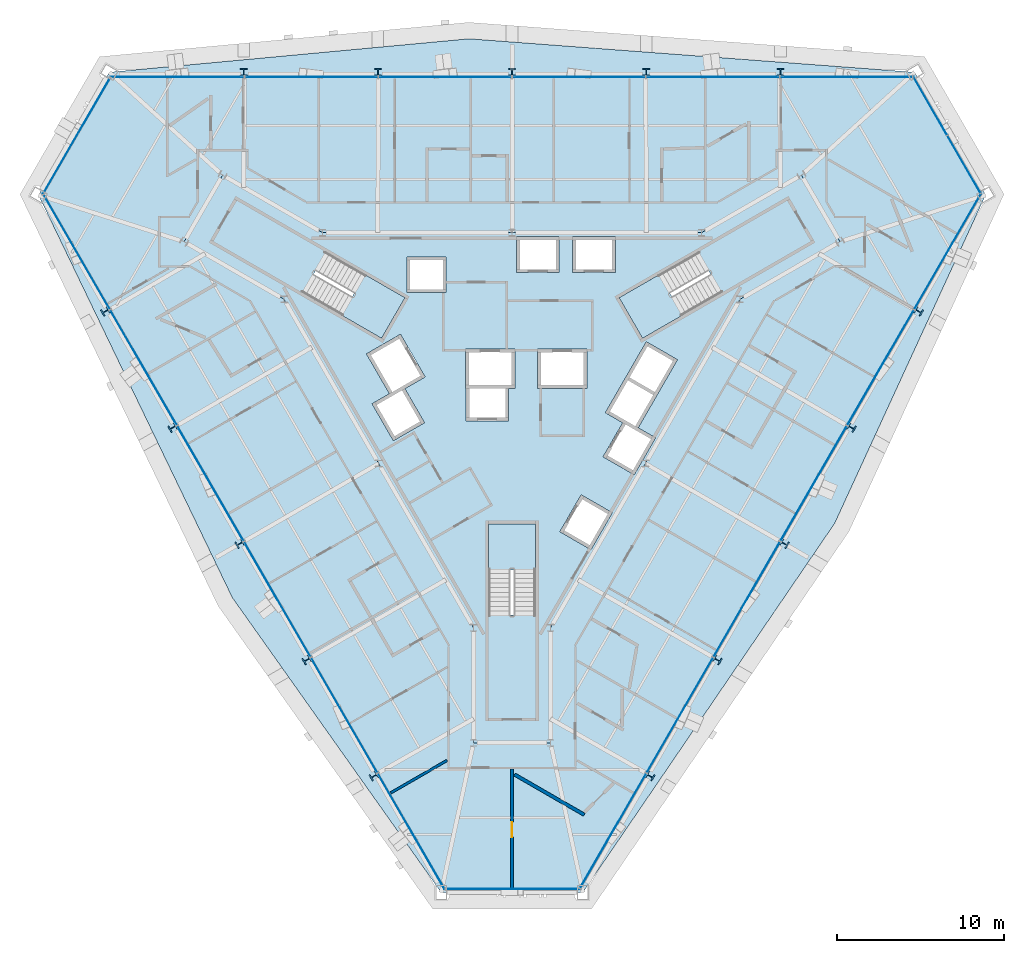
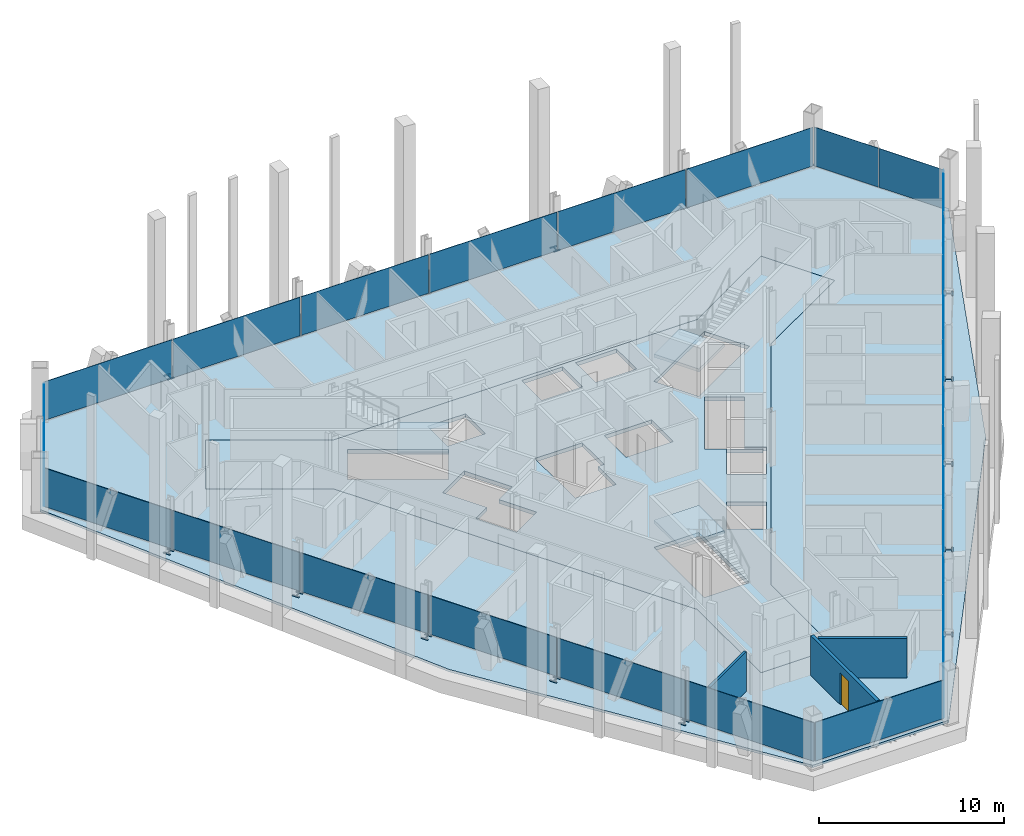
# One storey, part 9 of 16: 22 plates, 15 members, 5 slabs, 3 walls, 1 door, 1 opening, 9 elements without a shape of their own.
"""IFC4 building model written with IfcOpenShell, lengths in metres."""

import ifcopenshell
import ifcopenshell.guid

model = None  # the IFC model being written
_history = None  # IfcOwnerHistory: only IFC2X3 demands one
_inside = {}  # id of a spatial element -> (the spatial element, [elements in it])
_under = {}  # id of a project, library or spatial element -> (it, [spatial elements below it])
_declared = {}  # id of a project -> (the project, [libraries it declares])
_typed = {}  # id of a type object -> (the type object, [elements of that type])
_made_of = {}  # id of a material, layer set ... -> (it, [elements and type objects made of it])


def new_model(schema):
    """Start an empty IFC model of exactly this schema.

    Asked for "IFC4X3", IfcOpenShell would pick the latest addendum, in which some entities
    have other attributes; the version numbers below select the first issue.
    IFC2X3 requires an IfcOwnerHistory on every rooted entity: one is made here for all.
    """
    global model, _history
    if schema == "IFC4X3":
        model = ifcopenshell.file(schema_version=(4, 3, 0, 0))
    else:
        model = ifcopenshell.file(schema=schema)
    _inside.clear()
    _under.clear()
    _declared.clear()
    _typed.clear()
    _made_of.clear()
    _history = None
    if model.schema == "IFC2X3":
        org = make("IfcOrganization", Name="unknown")
        user = make(
            "IfcPersonAndOrganization",
            ThePerson=make("IfcPerson", FamilyName="unknown"),
            TheOrganization=org,
        )
        app = make(
            "IfcApplication",
            ApplicationDeveloper=org,
            Version="unknown",
            ApplicationFullName="unknown",
            ApplicationIdentifier="unknown",
        )
        _history = make(
            "IfcOwnerHistory",
            OwningUser=user,
            OwningApplication=app,
            ChangeAction="ADDED",
            CreationDate=0,
        )
    return model


def make(cls, **values):
    """One entity of the class cls with the attributes given. An attribute that is None is left unset."""
    return model.create_entity(
        cls, **{name: value for name, value in values.items() if value is not None}
    )


def rooted(cls, **values):
    """An entity with a GlobalId (a new one), such as an element, a storey or a relation."""
    return make(cls, GlobalId=ifcopenshell.guid.new(), OwnerHistory=_history, **values)


def si_unit(unit_type, name, prefix=None):
    """IfcSIUnit, for example si_unit("LENGTHUNIT", "METRE", prefix="MILLI")."""
    return make("IfcSIUnit", UnitType=unit_type, Prefix=prefix, Name=name)


def assignment(units):
    """IfcUnitAssignment: the units of a project."""
    return None if units is None else make("IfcUnitAssignment", Units=units)


def point(xyz):
    """IfcCartesianPoint."""
    return None if xyz is None else make("IfcCartesianPoint", Coordinates=xyz)


def direction(xyz):
    """IfcDirection."""
    return None if xyz is None else make("IfcDirection", DirectionRatios=xyz)


def frame(location, z_axis=None, x_axis=None):
    """IfcAxis2Placement3D, a coordinate frame: its origin and axes. An axis left out is left unset."""
    return make(
        "IfcAxis2Placement3D",
        Location=point(location),
        Axis=direction(z_axis),
        RefDirection=direction(x_axis),
    )


def frame_2d(location, x_axis=None):
    """IfcAxis2Placement2D, a coordinate frame in the plane: its origin and x axis."""
    return make(
        "IfcAxis2Placement2D", Location=point(location), RefDirection=direction(x_axis)
    )


def origin():
    """The frame at (0, 0, 0) with its axes left unset."""
    return frame((0.0, 0.0, 0.0))


def origin_2d():
    """The frame at (0, 0) in the plane with its x axis left unset."""
    return frame_2d((0.0, 0.0))


def place(relative_to, where):
    """IfcLocalPlacement: puts the frame where relative to a parent placement (None: the world)."""
    return make(
        "IfcLocalPlacement", PlacementRelTo=relative_to, RelativePlacement=where
    )


def context(
    kind, dimensions, precision=None, world=None, true_north=None, identifier=None
):
    """IfcGeometricRepresentationContext, for example the 3D "Model" context."""
    return make(
        "IfcGeometricRepresentationContext",
        ContextIdentifier=identifier,
        ContextType=kind,
        CoordinateSpaceDimension=dimensions,
        Precision=precision,
        WorldCoordinateSystem=world,
        TrueNorth=true_north,
    )


def subcontext(parent, identifier, kind, view, scale=None):
    """IfcGeometricRepresentationSubContext, for example "Body" below "Model"."""
    return make(
        "IfcGeometricRepresentationSubContext",
        ContextIdentifier=identifier,
        ContextType=kind,
        ParentContext=parent,
        TargetScale=scale,
        TargetView=view,
    )


def project(units=None, contexts=None):
    """IfcProject with its units and contexts."""
    return rooted(
        "IfcProject",
        Name="project",
        RepresentationContexts=contexts,
        UnitsInContext=assignment(units),
    )


def spatial(cls, under=None, at=None, **own):
    """A site, building, storey or space (cls), placed at a placement, below another one or the project."""
    s = rooted(cls, ObjectPlacement=at, **own)
    if under is not None:
        _under.setdefault(under.id(), (under, []))[1].append(s)
    return s


def polyline(points):
    """IfcPolyline through the points."""
    return make("IfcPolyline", Points=[point(p) for p in points])


def profile(cls, at=None, kind="AREA", **sizes):
    """A parametric profile (cls). Its sizes go by their IFC names, for example OverallWidth=200.0."""
    return make(cls, ProfileType=kind, Position=at, **sizes)


def rectangle(**sizes):
    """IfcRectangleProfileDef."""
    return profile("IfcRectangleProfileDef", **sizes)


def i_section(**sizes):
    """IfcIShapeProfileDef."""
    return profile("IfcIShapeProfileDef", **sizes)


def outline(outer, holes=None, kind="AREA"):
    """IfcArbitraryClosedProfileDef: a profile drawn as a closed curve; with holes, ...WithVoids."""
    if holes is None:
        return make("IfcArbitraryClosedProfileDef", ProfileType=kind, OuterCurve=outer)
    return make(
        "IfcArbitraryProfileDefWithVoids",
        ProfileType=kind,
        OuterCurve=outer,
        InnerCurves=holes,
    )


def extrude(swept, where, along, depth):
    """IfcExtrudedAreaSolid: the profile swept, set in the frame where, extruded along a direction by depth."""
    return make(
        "IfcExtrudedAreaSolid",
        SweptArea=swept,
        Position=where,
        ExtrudedDirection=direction(along),
        Depth=depth,
    )


def shape(context_of_items, identifier, shape_type, items):
    """IfcShapeRepresentation: the items that make up one representation, for example the "Body"."""
    return make(
        "IfcShapeRepresentation",
        ContextOfItems=context_of_items,
        RepresentationIdentifier=identifier,
        RepresentationType=shape_type,
        Items=items,
    )


def material(Name=None, Category=None):
    """IfcMaterial."""
    return make("IfcMaterial", Name=Name, Category=Category)


def layer(
    of_material, thickness, ventilated=None, Name=None, Category=None, Priority=None
):
    """IfcMaterialLayer: one layer of a wall or slab, of a material (None: an air gap)."""
    return make(
        "IfcMaterialLayer",
        Material=of_material,
        LayerThickness=thickness,
        IsVentilated=ventilated,
        Name=Name,
        Category=Category,
        Priority=Priority,
    )


def layer_set(layers, Name=None):
    """IfcMaterialLayerSet."""
    return make("IfcMaterialLayerSet", MaterialLayers=layers, LayerSetName=Name)


def material_profile(
    of_material, cross_section, Name=None, Category=None, Priority=None
):
    """IfcMaterialProfile: a cross section and its material."""
    return make(
        "IfcMaterialProfile",
        Name=Name,
        Material=of_material,
        Profile=cross_section,
        Priority=Priority,
        Category=Category,
    )


def profile_set(profiles, Name=None, composite=None):
    """IfcMaterialProfileSet."""
    return make(
        "IfcMaterialProfileSet",
        Name=Name,
        MaterialProfiles=profiles,
        CompositeProfile=composite,
    )


def made_of(thing, what):
    """Note that an element or type object is made of a material, layer set ...; save() writes the relation."""
    if what is not None:
        _made_of.setdefault(what.id(), (what, []))[1].append(thing)
    return thing


def type_object(cls, material=None, **own):
    """A type object (cls), such as IfcWallType, which elements share."""
    return made_of(rooted(cls, **own), material)


def element(
    cls,
    number,
    at=None,
    inside=None,
    cuts=None,
    type_object=None,
    material=None,
    context=None,
    identifier="Body",
    shape_type=None,
    held_by="IfcProductDefinitionShape",
    body=None,
    shapes=None,
    **own,
):
    """One element of the class cls, such as IfcWall. Its Tag is "e" and its number.

    at: its placement. inside: the storey or other place that contains it. cuts: it is an
    opening in that element (IfcRelVoidsElement). A single representation is given by context,
    identifier, shape_type and body (its items); several are given by shapes. held_by: the class
    of the entity that holds the representations. save() writes the other relations.
    """
    e = rooted(cls, Tag="e%d" % number, ObjectPlacement=at, **own)
    if body is not None:
        shapes = [shape(context, identifier, shape_type, body)]
    if shapes is not None:
        e.Representation = make(held_by, Representations=shapes)
    if inside is not None:
        _inside.setdefault(inside.id(), (inside, []))[1].append(e)
    if cuts is not None:
        rooted(
            "IfcRelVoidsElement", RelatingBuildingElement=cuts, RelatedOpeningElement=e
        )
    if type_object is not None:
        _typed.setdefault(type_object.id(), (type_object, []))[1].append(e)
    return made_of(e, material)


def fill(opening, filler):
    """IfcRelFillsElement: the door or window that sits in an opening."""
    return rooted(
        "IfcRelFillsElement",
        RelatingOpeningElement=opening,
        RelatedBuildingElement=filler,
    )


def aggregate(whole, parts):
    """IfcRelAggregates: a whole, such as a stair, and the parts it consists of."""
    return rooted("IfcRelAggregates", RelatingObject=whole, RelatedObjects=parts)


def save(model, path):
    """Write the relations noted so far, then the file.

    IfcRelAggregates (storeys below a building ...), IfcRelContainedInSpatialStructure (elements
    in a storey), IfcRelDefinesByType, IfcRelAssociatesMaterial and IfcRelDeclares: one each for
    every whole, place, type object, material and project.
    """
    for whole, parts in _under.values():
        aggregate(whole, parts)
    for where, things in _inside.values():
        rooted(
            "IfcRelContainedInSpatialStructure",
            RelatedElements=things,
            RelatingStructure=where,
        )
    for kind, things in _typed.values():
        rooted("IfcRelDefinesByType", RelatedObjects=things, RelatingType=kind)
    for what, things in _made_of.values():
        rooted("IfcRelAssociatesMaterial", RelatedObjects=things, RelatingMaterial=what)
    for by, libraries in _declared.values():
        rooted("IfcRelDeclares", RelatingContext=by, RelatedDefinitions=libraries)
    model.write(path)


model = new_model("IFC4")

# Units and contexts
model_context = context("Model", 3, precision=1e-05, world=origin(), true_north=direction((0.0, 1.0)))
body_context = subcontext(model_context, "Body", "Model", "MODEL_VIEW")
ifc_project = project(units=[si_unit("LENGTHUNIT", "METRE"), si_unit("AREAUNIT", "SQUARE_METRE"), si_unit("VOLUMEUNIT", "CUBIC_METRE"), si_unit("PLANEANGLEUNIT", "RADIAN"), si_unit("MASSUNIT", "GRAM", prefix="KILO")], contexts=[model_context])

# Site, building, storey
site_placement = place(None, origin())
site = spatial("IfcSite", under=ifc_project, at=site_placement, CompositionType="ELEMENT")
building_placement = place(site_placement, origin())
building = spatial("IfcBuilding", under=site, at=building_placement, Name="Verrane Prism Tower", CompositionType="ELEMENT")
storey_placement = place(building_placement, frame((0.0, 0.0, 103.60009765625)))
storey = spatial("IfcBuildingStorey", under=building, at=storey_placement, Name="L24", CompositionType="ELEMENT", Elevation=103.60009765625)

# Members
ifc_material_1 = material(Name="Steel A992", Category="steel")
ifc_material_profile = material_profile(ifc_material_1, i_section(OverallWidth=0.424072265625, OverallDepth=0.47509765625, WebThickness=0.0478515625, FlangeThickness=0.0771484375, FilletRadius=0.014892578125, at=origin_2d()), Name="W14x426")
ifc_profile_set = profile_set([ifc_material_profile], Name="Steel A992")
member_type = type_object("IfcMemberType", Name="Kink node W14x426", PredefinedType="COLLAR", material=ifc_profile_set)
member_1_placement = place(storey_placement, frame((16.038330078125, 18.78564453125, -0.045166015625), z_axis=(0.0, 0.0, 1.0), x_axis=(1.0, 0.0, 0.0)))
element("IfcMember", 1, at=member_1_placement, inside=storey, type_object=member_type, Name="Kink node PC4 L24", PredefinedType="COLLAR", context=body_context, shape_type="SweptSolid", body=[
    extrude(i_section(OverallWidth=0.424072265625, OverallDepth=0.47509765625, WebThickness=0.0478515625, FlangeThickness=0.0771484375, FilletRadius=0.014892578125, at=origin_2d()), origin(), (0.0, 0.0, 1.0), 0.090087890625),
])
member_2_placement = place(storey_placement, frame((8.019287109375, 18.7861328125, -0.0400390625), z_axis=(0.0, 0.0, 1.0), x_axis=(1.0, 0.0, 0.0)))
element("IfcMember", 2, at=member_2_placement, inside=storey, type_object=member_type, Name="Kink node PC4 L24", PredefinedType="COLLAR", context=body_context, shape_type="SweptSolid", body=[
    extrude(i_section(OverallWidth=0.424072265625, OverallDepth=0.47509765625, WebThickness=0.0478515625, FlangeThickness=0.0771484375, FilletRadius=0.014892578125, at=origin_2d()), origin(), (0.0, 0.0, 1.0), 0.079833984375),
])
member_3_placement = place(storey_placement, frame((0.0, 18.78662109375, -0.03515625), z_axis=(0.0, 0.0, 1.0), x_axis=(1.0, 0.0, 0.0)))
element("IfcMember", 3, at=member_3_placement, inside=storey, type_object=member_type, Name="Kink node PC4 L24", PredefinedType="COLLAR", context=body_context, shape_type="SweptSolid", body=[
    extrude(i_section(OverallWidth=0.424072265625, OverallDepth=0.47509765625, WebThickness=0.0478515625, FlangeThickness=0.0771484375, FilletRadius=0.014892578125, at=origin_2d()), origin(), (0.0, 0.0, 1.0), 0.070068359375),
])
member_4_placement = place(storey_placement, frame((-8.019287109375, 18.7861328125, -0.0400390625), z_axis=(0.0, 0.0, 1.0), x_axis=(1.0, 0.0, 0.0)))
element("IfcMember", 4, at=member_4_placement, inside=storey, type_object=member_type, Name="Kink node PC4 L24", PredefinedType="COLLAR", context=body_context, shape_type="SweptSolid", body=[
    extrude(i_section(OverallWidth=0.424072265625, OverallDepth=0.47509765625, WebThickness=0.0478515625, FlangeThickness=0.0771484375, FilletRadius=0.014892578125, at=origin_2d()), origin(), (0.0, 0.0, 1.0), 0.079833984375),
])
for number, where, z_axis, x_axis, name in (
    (5, (-16.038330078125, 18.78564453125, -0.045166015625), (0.0, 0.0, 1.0), (1.0, 0.0, 0.0), "Kink node PC4 L24"),
    (6, (8.2470703125, -23.286376953125, -0.045166015625), (0.0, 0.0, 1.0), (-0.5, -0.866025403784, 0.0), "Kink node PC4 L24"),
):
    element("IfcMember", number, at=place(storey_placement, frame(where, z_axis=z_axis, x_axis=x_axis)), inside=storey, type_object=member_type, Name=name, PredefinedType="COLLAR", context=body_context, shape_type="SweptSolid", body=[
        extrude(i_section(OverallWidth=0.424072265625, OverallDepth=0.47509765625, WebThickness=0.0478515625, FlangeThickness=0.0771484375, FilletRadius=0.014892578125, at=origin_2d()), origin(), (0.0, 0.0, 1.0), 0.090087890625),
    ])
member_5_placement = place(storey_placement, frame((12.257080078125, -16.33740234375, -0.0400390625), z_axis=(0.0, 0.0, 1.0), x_axis=(-0.5, -0.866025403784, 0.0)))
element("IfcMember", 7, at=member_5_placement, inside=storey, type_object=member_type, Name="Kink node PC4 L24", PredefinedType="COLLAR", context=body_context, shape_type="SweptSolid", body=[
    extrude(i_section(OverallWidth=0.424072265625, OverallDepth=0.47509765625, WebThickness=0.0478515625, FlangeThickness=0.0771484375, FilletRadius=0.014892578125, at=origin_2d()), origin(), (0.0, 0.0, 1.0), 0.079833984375),
])
member_6_placement = place(storey_placement, frame((16.26708984375, -9.38818359375, -0.03515625), z_axis=(0.0, 0.0, 1.0), x_axis=(-0.5, -0.866025403784, 0.0)))
element("IfcMember", 8, at=member_6_placement, inside=storey, type_object=member_type, Name="Kink node PC4 L24", PredefinedType="COLLAR", context=body_context, shape_type="SweptSolid", body=[
    extrude(i_section(OverallWidth=0.424072265625, OverallDepth=0.47509765625, WebThickness=0.0478515625, FlangeThickness=0.0771484375, FilletRadius=0.014892578125, at=origin_2d()), origin(), (0.0, 0.0, 1.0), 0.070068359375),
])
member_7_placement = place(storey_placement, frame((20.2763671875, -2.448486328125, -0.0400390625), z_axis=(0.0, 0.0, 1.0), x_axis=(-0.5, -0.866025403784, 0.0)))
element("IfcMember", 9, at=member_7_placement, inside=storey, type_object=member_type, Name="Kink node PC4 L24", PredefinedType="COLLAR", context=body_context, shape_type="SweptSolid", body=[
    extrude(i_section(OverallWidth=0.424072265625, OverallDepth=0.47509765625, WebThickness=0.0478515625, FlangeThickness=0.0771484375, FilletRadius=0.014892578125, at=origin_2d()), origin(), (0.0, 0.0, 1.0), 0.079833984375),
])
for number, where, z_axis, x_axis, name in (
    (10, (24.29541015625, 4.500732421875, -0.045166015625), (0.0, 0.0, 1.0), (-0.5, -0.866025403784, 0.0), "Kink node PC4 L24"),
    (11, (-24.29541015625, 4.500732421875, -0.045166015625), (0.0, 0.0, 1.0), (-0.5, 0.866025403784, 0.0), "Kink node PC4 L24"),
):
    element("IfcMember", number, at=place(storey_placement, frame(where, z_axis=z_axis, x_axis=x_axis)), inside=storey, type_object=member_type, Name=name, PredefinedType="COLLAR", context=body_context, shape_type="SweptSolid", body=[
        extrude(i_section(OverallWidth=0.424072265625, OverallDepth=0.47509765625, WebThickness=0.0478515625, FlangeThickness=0.0771484375, FilletRadius=0.014892578125, at=origin_2d()), origin(), (0.0, 0.0, 1.0), 0.090087890625),
    ])
member_8_placement = place(storey_placement, frame((-20.2763671875, -2.448486328125, -0.0400390625), z_axis=(0.0, 0.0, 1.0), x_axis=(-0.5, 0.866025403784, 0.0)))
element("IfcMember", 12, at=member_8_placement, inside=storey, type_object=member_type, Name="Kink node PC4 L24", PredefinedType="COLLAR", context=body_context, shape_type="SweptSolid", body=[
    extrude(i_section(OverallWidth=0.424072265625, OverallDepth=0.47509765625, WebThickness=0.0478515625, FlangeThickness=0.0771484375, FilletRadius=0.014892578125, at=origin_2d()), origin(), (0.0, 0.0, 1.0), 0.079833984375),
])
member_9_placement = place(storey_placement, frame((-16.26708984375, -9.38818359375, -0.03515625), z_axis=(0.0, 0.0, 1.0), x_axis=(-0.5, 0.866025403784, 0.0)))
element("IfcMember", 13, at=member_9_placement, inside=storey, type_object=member_type, Name="Kink node PC4 L24", PredefinedType="COLLAR", context=body_context, shape_type="SweptSolid", body=[
    extrude(i_section(OverallWidth=0.424072265625, OverallDepth=0.47509765625, WebThickness=0.0478515625, FlangeThickness=0.0771484375, FilletRadius=0.014892578125, at=origin_2d()), origin(), (0.0, 0.0, 1.0), 0.070068359375),
])
member_10_placement = place(storey_placement, frame((-12.257080078125, -16.33740234375, -0.0400390625), z_axis=(0.0, 0.0, 1.0), x_axis=(-0.5, 0.866025403784, 0.0)))
element("IfcMember", 14, at=member_10_placement, inside=storey, type_object=member_type, Name="Kink node PC4 L24", PredefinedType="COLLAR", context=body_context, shape_type="SweptSolid", body=[
    extrude(i_section(OverallWidth=0.424072265625, OverallDepth=0.47509765625, WebThickness=0.0478515625, FlangeThickness=0.0771484375, FilletRadius=0.014892578125, at=origin_2d()), origin(), (0.0, 0.0, 1.0), 0.079833984375),
])
member_11_placement = place(storey_placement, frame((-8.2470703125, -23.286376953125, -0.045166015625), z_axis=(0.0, 0.0, 1.0), x_axis=(-0.5, 0.866025403784, 0.0)))
element("IfcMember", 15, at=member_11_placement, inside=storey, type_object=member_type, Name="Kink node PC4 L24", PredefinedType="COLLAR", context=body_context, shape_type="SweptSolid", body=[
    extrude(i_section(OverallWidth=0.424072265625, OverallDepth=0.47509765625, WebThickness=0.0478515625, FlangeThickness=0.0771484375, FilletRadius=0.014892578125, at=origin_2d()), origin(), (0.0, 0.0, 1.0), 0.090087890625),
])

# Slabs
ifc_material_2 = material(Name="Concrete C35/45", Category="concrete")
ifc_layer_1 = layer(ifc_material_2, 0.159912109375)
ifc_layer_set_1 = layer_set([ifc_layer_1], Name="Composite floor slab")
slab_type_1 = type_object("IfcSlabType", Name="Composite floor slab", PredefinedType="FLOOR", material=ifc_layer_set_1)
slab_1_placement = place(storey_placement, frame((0.0, 0.0, -0.16015625)))
element("IfcSlab", 16, at=slab_1_placement, inside=storey, type_object=slab_type_1, Name="Floor slab L24", PredefinedType="FLOOR", context=body_context, shape_type="SweptSolid", body=[
    extrude(outline(polyline([(19.288330078125, -8.171875), (4.239013671875, -30.23779296875), (-4.239013671875, -30.23779296875), (-16.72119140625, -12.6181640625), (-28.30615234375, 11.44775390625), (-24.067138671875, 18.7900390625), (-2.567138671875, 20.7900390625), (24.067138671875, 18.7900390625), (28.30615234375, 11.44775390625), (19.288330078125, -8.171875)]), holes=[polyline([(19.60009765625, 8.659912109375), (17.300048828125, 12.639892578125), (11.330078125, 9.199951171875), (0.0, 9.199951171875), (-11.330078125, 9.199951171875), (-17.300048828125, 12.639892578125), (-19.60009765625, 8.659912109375), (-13.6298828125, 5.219970703125), (-7.969970703125, -4.60009765625), (-2.300048828125, -14.419921875), (-2.300048828125, -21.300048828125), (2.300048828125, -21.300048828125), (2.300048828125, -14.419921875), (7.969970703125, -4.60009765625), (13.6298828125, 5.219970703125), (19.60009765625, 8.659912109375)])]), origin(), (0.0, 0.0, 1.0), 0.16015625),
])
ifc_material_3 = material(Name="Concrete C40/50", Category="concrete")
ifc_layer_2 = layer(ifc_material_3, 0.25)
ifc_layer_set_2 = layer_set([ifc_layer_2], Name="Core floor slab 250 concrete C40/50")
slab_type_2 = type_object("IfcSlabType", Name="Core floor slab 250 concrete C40/50", PredefinedType="FLOOR", material=ifc_layer_set_2)
slab_2_placement = place(storey_placement, frame((0.0, 0.0, -0.25)))
element("IfcSlab", 17, at=slab_2_placement, inside=storey, type_object=slab_type_2, Name="Core floor L24", PredefinedType="FLOOR", context=body_context, shape_type="SweptSolid", body=[
    extrude(outline(polyline([(13.6298828125, 5.219970703125), (19.60009765625, 8.659912109375), (17.300048828125, 12.639892578125), (11.330078125, 9.199951171875), (0.0, 9.199951171875), (-11.330078125, 9.199951171875), (-17.300048828125, 12.639892578125), (-19.60009765625, 8.659912109375), (-13.6298828125, 5.219970703125), (-7.969970703125, -4.60009765625), (-2.300048828125, -14.419921875), (-2.300048828125, -21.300048828125), (2.300048828125, -21.300048828125), (2.300048828125, -14.419921875), (7.969970703125, -4.60009765625), (13.6298828125, 5.219970703125)]), holes=[polyline([(1.39990234375, -8.199951171875), (1.39990234375, -13.639892578125), (-1.39990234375, -13.639892578125), (-1.39990234375, -8.199951171875), (1.39990234375, -8.199951171875)]), polyline([(0.1650390625, 2.25), (0.1650390625, -0.10009765625), (-0.205078125, -0.10009765625), (-0.205078125, -2.050048828125), (-2.7548828125, -2.050048828125), (-2.7548828125, -0.10009765625), (-2.784912109375, -0.10009765625), (-2.784912109375, 2.25), (0.1650390625, 2.25)]), polyline([(-7.801025390625, 2.887939453125), (-12.512939453125, 5.60791015625), (-11.113037109375, 8.031982421875), (-6.40087890625, 5.31201171875), (-7.801025390625, 2.887939453125)]), polyline([(-6.284912109375, 5.610107421875), (-6.284912109375, 7.760009765625), (-3.93505859375, 7.760009765625), (-3.93505859375, 5.610107421875), (-6.284912109375, 5.610107421875)]), polyline([(2.81494140625, 6.81005859375), (0.264892578125, 6.81005859375), (0.264892578125, 8.9599609375), (2.81494140625, 8.9599609375), (2.81494140625, 6.81005859375)]), polyline([(4.717041015625, -9.75), (2.85498046875, -8.675048828125), (4.1298828125, -6.466064453125), (5.991943359375, -7.541015625), (4.717041015625, -9.75)]), polyline([(8.303955078125, -3.136962890625), (5.575927734375, -1.56201171875), (8.02587890625, 2.680908203125), (9.887939453125, 1.60595703125), (7.5380859375, -2.464111328125), (8.576904296875, -3.06396484375), (7.302001953125, -5.27197265625), (5.43994140625, -4.197021484375), (6.614990234375, -2.162109375), (8.303955078125, -3.136962890625)]), polyline([(1.52490234375, -0.10009765625), (1.52490234375, 2.25), (4.47509765625, 2.25), (4.47509765625, -0.10009765625), (1.52490234375, -0.10009765625)]), polyline([(11.113037109375, 8.031982421875), (12.512939453125, 5.60791015625), (7.801025390625, 2.887939453125), (6.40087890625, 5.31201171875), (11.113037109375, 8.031982421875)]), polyline([(3.625, 6.81005859375), (3.625, 8.9599609375), (6.175048828125, 8.9599609375), (6.175048828125, 6.81005859375), (3.625, 6.81005859375)]), polyline([(-5.23095703125, -2.159912109375), (-7.093017578125, -3.235107421875), (-8.367919921875, -1.02587890625), (-7.3291015625, -0.426025390625), (-8.7041015625, 1.955078125), (-6.66796875, 3.1298828125), (-5.193115234375, 0.574951171875), (-6.406005859375, -0.125), (-5.23095703125, -2.159912109375)])]), origin(), (0.0, 0.0, 1.0), 0.25),
])

# Curtain wall, plates
ifc_material_4 = material(Name="Aluminium framed insulated glazing", Category="aluminium")
curtain_wall_type_1 = type_object("IfcCurtainWallType", Name="Curtain wall CW-C 4200 module", PredefinedType="NOTDEFINED", material=ifc_material_4)
curtain_wall_1_placement = place(storey_placement, origin())
curtain_wall_1 = element("IfcCurtainWall", 18, at=curtain_wall_1_placement, inside=storey, type_object=curtain_wall_type_1, Name="Glazed curtain wall north-east corner L24", PredefinedType="NOTDEFINED")
ifc_material_5 = material(Name="Low-iron insulating glass unit", Category="glass")
ifc_layer_3 = layer(ifc_material_5, 0.02392578125)
ifc_layer_set_3 = layer_set([ifc_layer_3], Name="Glazing panel IGU 24")
plate_type_1 = type_object("IfcPlateType", Name="Glazing panel IGU 24", PredefinedType="CURTAIN_PANEL", material=ifc_layer_set_3)
plate_1_placement = place(storey_placement, frame((27.01318359375, 13.281494140625, 0.0498046875), z_axis=(0.0, 0.0, 1.0), x_axis=(-0.499995693021, 0.866027890405, 0.0)))
plate_1 = element("IfcPlate", 19, at=plate_1_placement, type_object=plate_type_1, Name="CW24.1 panel 1", PredefinedType="CURTAIN_PANEL", context=body_context, shape_type="SweptSolid", body=[
    extrude(rectangle(XDim=3.958984375, YDim=0.02392578125, at=origin_2d()), origin(), (0.0, 0.0, 1.0), 2.56298828125),
])
plate_2_placement = place(storey_placement, frame((24.996337890625, 16.775146484375, 0.0498046875), z_axis=(0.0, 0.0, 1.0), x_axis=(-0.499995693021, 0.866027890405, 0.0)))
plate_2 = element("IfcPlate", 20, at=plate_2_placement, type_object=plate_type_1, Name="CW24.1 panel 2", PredefinedType="CURTAIN_PANEL", context=body_context, shape_type="SweptSolid", body=[
    extrude(rectangle(XDim=4.009033203125, YDim=0.02392578125, at=origin_2d()), origin(), (0.0, 0.0, 1.0), 2.56298828125),
])
aggregate(curtain_wall_1, [plate_1, plate_2])

ifc_material_6 = material(Name="Aluminium framed insulated glazing", Category="aluminium")
curtain_wall_type_2 = type_object("IfcCurtainWallType", Name="Curtain wall CW-A 8400 module", PredefinedType="NOTDEFINED", material=ifc_material_6)
curtain_wall_2_placement = place(storey_placement, origin())
curtain_wall_2 = element("IfcCurtainWall", 21, at=curtain_wall_2_placement, inside=storey, type_object=curtain_wall_type_2, Name="Glazed curtain wall north face L24", PredefinedType="NOTDEFINED")
ifc_material_7 = material(Name="Low-iron insulating glass unit", Category="glass")
ifc_layer_4 = layer(ifc_material_7, 0.031982421875)
ifc_layer_set_4 = layer_set([ifc_layer_4], Name="Glazing panel IGU 32")
plate_type_2 = type_object("IfcPlateType", Name="Glazing panel IGU 32", PredefinedType="CURTAIN_PANEL", material=ifc_layer_set_4)
plate_3_placement = place(storey_placement, frame((19.9775390625, 18.510986328125, 0.06982421875), z_axis=(0.0, 0.0, 1.0), x_axis=(-1.0, 0.0, 0.0)))
plate_3 = element("IfcPlate", 22, at=plate_3_placement, type_object=plate_type_2, Name="CW24.2 panel 1", PredefinedType="CURTAIN_PANEL", context=body_context, shape_type="SweptSolid", body=[
    extrude(rectangle(XDim=7.89306640625, YDim=0.031982421875, at=origin_2d()), origin(), (0.0, 0.0, 1.0), 2.54296875),
])
plate_4_placement = place(storey_placement, frame((11.9970703125, 18.510986328125, 0.06982421875), z_axis=(0.0, 0.0, 1.0), x_axis=(-1.0, 0.0, 0.0)))
plate_4 = element("IfcPlate", 23, at=plate_4_placement, type_object=plate_type_2, Name="CW24.2 panel 2", PredefinedType="CURTAIN_PANEL", context=body_context, shape_type="SweptSolid", body=[
    extrude(rectangle(XDim=7.927978515625, YDim=0.031982421875, at=origin_2d()), origin(), (0.0, 0.0, 1.0), 2.54296875),
])
plate_5_placement = place(storey_placement, frame((3.9990234375, 18.510986328125, 0.06982421875), z_axis=(0.0, 0.0, 1.0), x_axis=(-1.0, 0.0, 0.0)))
plate_5 = element("IfcPlate", 24, at=plate_5_placement, type_object=plate_type_2, Name="CW24.2 panel 3", PredefinedType="CURTAIN_PANEL", context=body_context, shape_type="SweptSolid", body=[
    extrude(rectangle(XDim=7.927978515625, YDim=0.031982421875, at=origin_2d()), origin(), (0.0, 0.0, 1.0), 2.54296875),
])
plate_6_placement = place(storey_placement, frame((-3.9990234375, 18.510986328125, 0.06982421875), z_axis=(0.0, 0.0, 1.0), x_axis=(-1.0, 0.0, 0.0)))
plate_6 = element("IfcPlate", 25, at=plate_6_placement, type_object=plate_type_2, Name="CW24.2 panel 4", PredefinedType="CURTAIN_PANEL", context=body_context, shape_type="SweptSolid", body=[
    extrude(rectangle(XDim=7.927978515625, YDim=0.031982421875, at=origin_2d()), origin(), (0.0, 0.0, 1.0), 2.54296875),
])
plate_7_placement = place(storey_placement, frame((-11.9970703125, 18.510986328125, 0.06982421875), z_axis=(0.0, 0.0, 1.0), x_axis=(-1.0, 0.0, 0.0)))
plate_7 = element("IfcPlate", 26, at=plate_7_placement, type_object=plate_type_2, Name="CW24.2 panel 5", PredefinedType="CURTAIN_PANEL", context=body_context, shape_type="SweptSolid", body=[
    extrude(rectangle(XDim=7.927978515625, YDim=0.031982421875, at=origin_2d()), origin(), (0.0, 0.0, 1.0), 2.54296875),
])
plate_8_placement = place(storey_placement, frame((-20.0126953125, 18.510986328125, 0.06982421875), z_axis=(0.0, 0.0, 1.0), x_axis=(-1.0, 0.0, 0.0)))
plate_8 = element("IfcPlate", 27, at=plate_8_placement, type_object=plate_type_2, Name="CW24.2 panel 6", PredefinedType="CURTAIN_PANEL", context=body_context, shape_type="SweptSolid", body=[
    extrude(rectangle(XDim=7.963134765625, YDim=0.031982421875, at=origin_2d()), origin(), (0.0, 0.0, 1.0), 2.54296875),
])
aggregate(curtain_wall_2, [plate_3, plate_4, plate_5, plate_6, plate_7, plate_8])

# Curtain wall, plate
curtain_wall_3_placement = place(storey_placement, origin())
curtain_wall_3 = element("IfcCurtainWall", 28, at=curtain_wall_3_placement, inside=storey, type_object=curtain_wall_type_2, Name="Glazed curtain wall north-west corner L24", PredefinedType="NOTDEFINED")
plate_9_placement = place(storey_placement, frame((-26.028564453125, 14.9873046875, 0.06982421875), z_axis=(0.0, 0.0, 1.0), x_axis=(-0.499995693021, -0.866027890405, 0.0)))
plate_9 = element("IfcPlate", 29, at=plate_9_placement, type_object=plate_type_2, Name="CW24.3 panel 1", PredefinedType="CURTAIN_PANEL", context=body_context, shape_type="SweptSolid", body=[
    extrude(rectangle(XDim=7.997802734375, YDim=0.031982421875, at=origin_2d()), origin(), (0.0, 0.0, 1.0), 2.54296875),
])
aggregate(curtain_wall_3, [plate_9])

# Curtain wall, plates
curtain_wall_4_placement = place(storey_placement, origin())
curtain_wall_4 = element("IfcCurtainWall", 30, at=curtain_wall_4_placement, inside=storey, type_object=curtain_wall_type_2, Name="Glazed curtain wall south-west face L24", PredefinedType="NOTDEFINED")
plate_10_placement = place(storey_placement, frame((-26.019775390625, 8.045654296875, 0.06982421875), z_axis=(0.0, 0.0, 1.0), x_axis=(0.500000002539, -0.866025402318, 0.0)))
plate_10 = element("IfcPlate", 31, at=plate_10_placement, type_object=plate_type_2, Name="CW24.4 panel 1", PredefinedType="CURTAIN_PANEL", context=body_context, shape_type="SweptSolid", body=[
    extrude(rectangle(XDim=7.89306640625, YDim=0.031982421875, at=origin_2d()), origin(), (0.0, 0.0, 1.0), 2.54296875),
])
plate_11_placement = place(storey_placement, frame((-22.029541015625, 1.13427734375, 0.06982421875), z_axis=(0.0, 0.0, 1.0), x_axis=(0.500000002539, -0.866025402318, 0.0)))
plate_11 = element("IfcPlate", 32, at=plate_11_placement, type_object=plate_type_2, Name="CW24.4 panel 2", PredefinedType="CURTAIN_PANEL", context=body_context, shape_type="SweptSolid", body=[
    extrude(rectangle(XDim=7.927978515625, YDim=0.031982421875, at=origin_2d()), origin(), (0.0, 0.0, 1.0), 2.54296875),
])
plate_12_placement = place(storey_placement, frame((-18.030517578125, -5.792236328125, 0.06982421875), z_axis=(0.0, 0.0, 1.0), x_axis=(0.500000002539, -0.866025402318, 0.0)))
plate_12 = element("IfcPlate", 33, at=plate_12_placement, type_object=plate_type_2, Name="CW24.4 panel 3", PredefinedType="CURTAIN_PANEL", context=body_context, shape_type="SweptSolid", body=[
    extrude(rectangle(XDim=7.927978515625, YDim=0.031982421875, at=origin_2d()), origin(), (0.0, 0.0, 1.0), 2.54296875),
])
plate_13_placement = place(storey_placement, frame((-14.031494140625, -12.71875, 0.06982421875), z_axis=(0.0, 0.0, 1.0), x_axis=(0.500000002539, -0.866025402318, 0.0)))
plate_13 = element("IfcPlate", 34, at=plate_13_placement, type_object=plate_type_2, Name="CW24.4 panel 4", PredefinedType="CURTAIN_PANEL", context=body_context, shape_type="SweptSolid", body=[
    extrude(rectangle(XDim=7.927978515625, YDim=0.031982421875, at=origin_2d()), origin(), (0.0, 0.0, 1.0), 2.54296875),
])
plate_14_placement = place(storey_placement, frame((-10.032470703125, -19.645263671875, 0.06982421875), z_axis=(0.0, 0.0, 1.0), x_axis=(0.500000002539, -0.866025402318, 0.0)))
plate_14 = element("IfcPlate", 35, at=plate_14_placement, type_object=plate_type_2, Name="CW24.4 panel 5", PredefinedType="CURTAIN_PANEL", context=body_context, shape_type="SweptSolid", body=[
    extrude(rectangle(XDim=7.927978515625, YDim=0.031982421875, at=origin_2d()), origin(), (0.0, 0.0, 1.0), 2.54296875),
])
plate_15_placement = place(storey_placement, frame((-6.024658203125, -26.5869140625, 0.06982421875), z_axis=(0.0, 0.0, 1.0), x_axis=(0.500000002539, -0.866025402318, 0.0)))
plate_15 = element("IfcPlate", 36, at=plate_15_placement, type_object=plate_type_2, Name="CW24.4 panel 6", PredefinedType="CURTAIN_PANEL", context=body_context, shape_type="SweptSolid", body=[
    extrude(rectangle(XDim=7.963134765625, YDim=0.031982421875, at=origin_2d()), origin(), (0.0, 0.0, 1.0), 2.54296875),
])
aggregate(curtain_wall_4, [plate_10, plate_11, plate_12, plate_13, plate_14, plate_15])

# Curtain wall, plate
curtain_wall_5_placement = place(storey_placement, origin())
curtain_wall_5 = element("IfcCurtainWall", 37, at=curtain_wall_5_placement, inside=storey, type_object=curtain_wall_type_2, Name="Glazed curtain wall south corner L24", PredefinedType="NOTDEFINED")
plate_16_placement = place(storey_placement, frame((0.034912109375, -30.034912109375, 0.06982421875), z_axis=(0.0, 0.0, 1.0), x_axis=(1.0, 0.0, 0.0)))
plate_16 = element("IfcPlate", 38, at=plate_16_placement, type_object=plate_type_2, Name="CW24.5 panel 1", PredefinedType="CURTAIN_PANEL", context=body_context, shape_type="SweptSolid", body=[
    extrude(rectangle(XDim=7.997802734375, YDim=0.031982421875, at=origin_2d()), origin(), (0.0, 0.0, 1.0), 2.54296875),
])
aggregate(curtain_wall_5, [plate_16])

# Curtain wall, plates
curtain_wall_6_placement = place(storey_placement, origin())
curtain_wall_6 = element("IfcCurtainWall", 39, at=curtain_wall_6_placement, inside=storey, type_object=curtain_wall_type_2, Name="Glazed curtain wall south-east face L24", PredefinedType="NOTDEFINED")
plate_17_placement = place(storey_placement, frame((6.042236328125, -26.556640625, 0.06982421875), z_axis=(0.0, 0.0, 1.0), x_axis=(0.500000002539, 0.866025402318, 0.0)))
plate_17 = element("IfcPlate", 40, at=plate_17_placement, type_object=plate_type_2, Name="CW24.6 panel 1", PredefinedType="CURTAIN_PANEL", context=body_context, shape_type="SweptSolid", body=[
    extrude(rectangle(XDim=7.89306640625, YDim=0.031982421875, at=origin_2d()), origin(), (0.0, 0.0, 1.0), 2.54296875),
])
plate_18_placement = place(storey_placement, frame((10.032470703125, -19.645263671875, 0.06982421875), z_axis=(0.0, 0.0, 1.0), x_axis=(0.500000002539, 0.866025402318, 0.0)))
plate_18 = element("IfcPlate", 41, at=plate_18_placement, type_object=plate_type_2, Name="CW24.6 panel 2", PredefinedType="CURTAIN_PANEL", context=body_context, shape_type="SweptSolid", body=[
    extrude(rectangle(XDim=7.927978515625, YDim=0.031982421875, at=origin_2d()), origin(), (0.0, 0.0, 1.0), 2.54296875),
])
plate_19_placement = place(storey_placement, frame((14.031494140625, -12.71875, 0.06982421875), z_axis=(0.0, 0.0, 1.0), x_axis=(0.500000002539, 0.866025402318, 0.0)))
plate_19 = element("IfcPlate", 42, at=plate_19_placement, type_object=plate_type_2, Name="CW24.6 panel 3", PredefinedType="CURTAIN_PANEL", context=body_context, shape_type="SweptSolid", body=[
    extrude(rectangle(XDim=7.927978515625, YDim=0.031982421875, at=origin_2d()), origin(), (0.0, 0.0, 1.0), 2.54296875),
])
plate_20_placement = place(storey_placement, frame((18.030517578125, -5.792236328125, 0.06982421875), z_axis=(0.0, 0.0, 1.0), x_axis=(0.500000002539, 0.866025402318, 0.0)))
plate_20 = element("IfcPlate", 43, at=plate_20_placement, type_object=plate_type_2, Name="CW24.6 panel 4", PredefinedType="CURTAIN_PANEL", context=body_context, shape_type="SweptSolid", body=[
    extrude(rectangle(XDim=7.927978515625, YDim=0.031982421875, at=origin_2d()), origin(), (0.0, 0.0, 1.0), 2.54296875),
])
plate_21_placement = place(storey_placement, frame((22.029541015625, 1.13427734375, 0.06982421875), z_axis=(0.0, 0.0, 1.0), x_axis=(0.500000002539, 0.866025402318, 0.0)))
plate_21 = element("IfcPlate", 44, at=plate_21_placement, type_object=plate_type_2, Name="CW24.6 panel 5", PredefinedType="CURTAIN_PANEL", context=body_context, shape_type="SweptSolid", body=[
    extrude(rectangle(XDim=7.927978515625, YDim=0.031982421875, at=origin_2d()), origin(), (0.0, 0.0, 1.0), 2.54296875),
])
plate_22_placement = place(storey_placement, frame((26.037353515625, 8.075927734375, 0.06982421875), z_axis=(0.0, 0.0, 1.0), x_axis=(0.500000002539, 0.866025402318, 0.0)))
plate_22 = element("IfcPlate", 45, at=plate_22_placement, type_object=plate_type_2, Name="CW24.6 panel 6", PredefinedType="CURTAIN_PANEL", context=body_context, shape_type="SweptSolid", body=[
    extrude(rectangle(XDim=7.963134765625, YDim=0.031982421875, at=origin_2d()), origin(), (0.0, 0.0, 1.0), 2.54296875),
])
aggregate(curtain_wall_6, [plate_17, plate_18, plate_19, plate_20, plate_21, plate_22])

# Stair, slab
ifc_material_8 = material(Name="Concrete C40/50", Category="concrete")
stair_type = type_object("IfcStairType", Name="Exit stair 1300 dog-leg precast concrete C40/50", PredefinedType="HALF_TURN_STAIR", material=ifc_material_8)
stair_1_placement = place(storey_placement, origin())
stair_1 = element("IfcStair", 46, at=stair_1_placement, inside=storey, type_object=stair_type, Name="Stair 1 L24", PredefinedType="HALF_TURN_STAIR")
ifc_material_9 = material(Name="Concrete C40/50", Category="concrete")
ifc_layer_5 = layer(ifc_material_9, 0.199951171875)
ifc_layer_set_5 = layer_set([ifc_layer_5], Name="Stair landing 200 precast concrete C40/50")
slab_type_3 = type_object("IfcSlabType", Name="Stair landing 200 precast concrete C40/50", PredefinedType="LANDING", material=ifc_layer_set_5)
slab_3_placement = place(storey_placement, frame((0.0, 0.0, 1.599853515625)))
slab_3 = element("IfcSlab", 47, at=slab_3_placement, type_object=slab_type_3, Name="Stair 1 landing 1", PredefinedType="LANDING", context=body_context, shape_type="SweptSolid", body=[
    extrude(outline(polyline([(8.791748046875, 6.6923828125), (6.4013671875, 5.3125), (7.801513671875, 2.887451171875), (10.191650390625, 4.267578125), (8.791748046875, 6.6923828125)])), origin(), (0.0, 0.0, 1.0), 0.199951171875),
])
aggregate(stair_1, [slab_3])

stair_2_placement = place(storey_placement, origin())
stair_2 = element("IfcStair", 48, at=stair_2_placement, inside=storey, type_object=stair_type, Name="Stair 2 L24", PredefinedType="HALF_TURN_STAIR")
slab_4_placement = place(storey_placement, frame((0.0, 0.0, 1.599853515625)))
slab_4 = element("IfcSlab", 49, at=slab_4_placement, type_object=slab_type_3, Name="Stair 2 landing 1", PredefinedType="LANDING", context=body_context, shape_type="SweptSolid", body=[
    extrude(outline(polyline([(-10.191650390625, 4.267578125), (-7.801513671875, 2.887451171875), (-6.4013671875, 5.3125), (-8.791748046875, 6.6923828125), (-10.191650390625, 4.267578125)])), origin(), (0.0, 0.0, 1.0), 0.199951171875),
])
aggregate(stair_2, [slab_4])

stair_3_placement = place(storey_placement, origin())
stair_3 = element("IfcStair", 50, at=stair_3_placement, inside=storey, type_object=stair_type, Name="Stair 3 L24", PredefinedType="HALF_TURN_STAIR")
slab_5_placement = place(storey_placement, frame((0.0, 0.0, 1.599853515625)))
slab_5 = element("IfcSlab", 51, at=slab_5_placement, type_object=slab_type_3, Name="Stair 3 landing 1", PredefinedType="LANDING", context=body_context, shape_type="SweptSolid", body=[
    extrude(outline(polyline([(1.39990234375, -10.9599609375), (1.39990234375, -8.199951171875), (-1.39990234375, -8.199951171875), (-1.39990234375, -10.9599609375), (1.39990234375, -10.9599609375)])), origin(), (0.0, 0.0, 1.0), 0.199951171875),
])
aggregate(stair_3, [slab_5])

# Wall
ifc_material_10 = material(Name="Gypsum board partition", Category="other")
ifc_layer_6 = layer(ifc_material_10, 0.14990234375)
ifc_layer_set_6 = layer_set([ifc_layer_6], Name="PW-150 demising wall 1 h")
wall_type_1 = type_object("IfcWallType", Name="PW-150 demising wall 1 h", PredefinedType="PARTITIONING", material=ifc_layer_set_6)
wall_1_placement = place(storey_placement, frame((-7.24365234375, -24.282958984375, 0.0), z_axis=(0.0, 0.0, 1.0), x_axis=(0.865997824551, 0.500047765591, 0.0)))
element("IfcWall", 52, at=wall_1_placement, inside=storey, type_object=wall_type_1, Name="Demising wall 032", PredefinedType="PARTITIONING", context=body_context, shape_type="SweptSolid", body=[
    extrude(rectangle(XDim=3.8759765625, YDim=0.14990234375, at=frame_2d((1.93798828125, 0.0))), origin(), (0.0, 0.0, 1.0), 2.61279296875),
])

# Wall, opening, door
ifc_material_11 = material(Name="Gypsum board partition", Category="other")
ifc_layer_7 = layer(ifc_material_11, 0.199951171875)
ifc_layer_set_7 = layer_set([ifc_layer_7], Name="PW-200 plumbing wall")
wall_type_2 = type_object("IfcWallType", Name="PW-200 plumbing wall", PredefinedType="PARTITIONING", material=ifc_layer_set_7)
wall_2_placement = place(storey_placement, frame((0.0, -22.849609375, 0.0), z_axis=(0.0, 0.0, 1.0), x_axis=(0.0, -1.0, 0.0)))
wall_2 = element("IfcWall", 53, at=wall_2_placement, inside=storey, type_object=wall_type_2, Name="Plumbing wall 042", PredefinedType="PARTITIONING", context=body_context, shape_type="SweptSolid", body=[
    extrude(rectangle(XDim=7.08935546875, YDim=0.199951171875, at=frame_2d((3.544677734375, 0.0))), origin(), (0.0, 0.0, 1.0), 2.61279296875),
])
opening_placement = place(wall_2_placement, frame((3.185546875, 0.0, 0.0)))
opening = element("IfcOpeningElement", 54, at=opening_placement, cuts=wall_2, Name="Opening D24041", PredefinedType="OPENING", context=body_context, shape_type="SweptSolid", body=[
    extrude(rectangle(XDim=0.89990234375, YDim=2.10009765625, at=frame_2d((0.449951171875, 1.050048828125))), frame((0.0, 0.10986328125, 0.0), z_axis=(0.0, -1.0, 0.0), x_axis=(1.0, 0.0, 0.0)), (0.0, 0.0, 1.0), 0.219970703125),
])
ifc_material_12 = material(Name="Timber veneered door leaf", Category="wood")
door_type = type_object("IfcDoorType", Name="DR-900x2100 single leaf inner", OperationType="NOTDEFINED", PredefinedType="DOOR", material=ifc_material_12)
door_placement = place(opening_placement, origin())
door = element("IfcDoor", 55, at=door_placement, inside=storey, type_object=door_type, Name="Suite Living Room door", OperationType="SINGLE_SWING_RIGHT", OverallHeight=2.10009765625, OverallWidth=0.89990234375, PredefinedType="DOOR", context=body_context, shape_type="SweptSolid", body=[
    extrude(rectangle(XDim=0.89990234375, YDim=2.10009765625, at=frame_2d((0.449951171875, 1.050048828125))), frame((0.0, 0.02490234375, 0.0), z_axis=(0.0, -1.0, 0.0), x_axis=(1.0, 0.0, 0.0)), (0.0, 0.0, 1.0), 0.050048828125),
])
fill(opening, door)

# Wall
wall_3_placement = place(storey_placement, frame((0.14990234375, -23.189697265625, 0.0), z_axis=(0.0, 0.0, 1.0), x_axis=(0.866061372545, -0.499937695103, 0.0)))
element("IfcWall", 56, at=wall_3_placement, inside=storey, type_object=wall_type_2, Name="Plumbing wall 043", PredefinedType="PARTITIONING", context=body_context, shape_type="SweptSolid", body=[
    extrude(rectangle(XDim=4.81103515625, YDim=0.199951171875, at=frame_2d((2.405517578125, 0.0))), origin(), (0.0, 0.0, 1.0), 2.61279296875),
])

save(model, "model.ifc")
